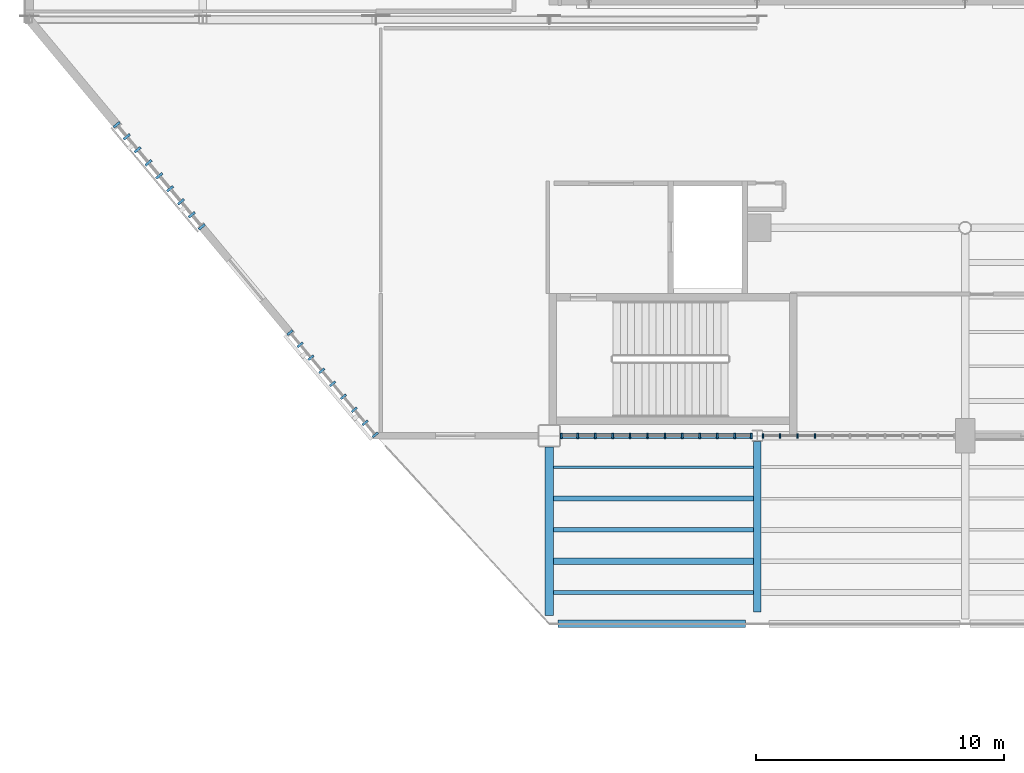
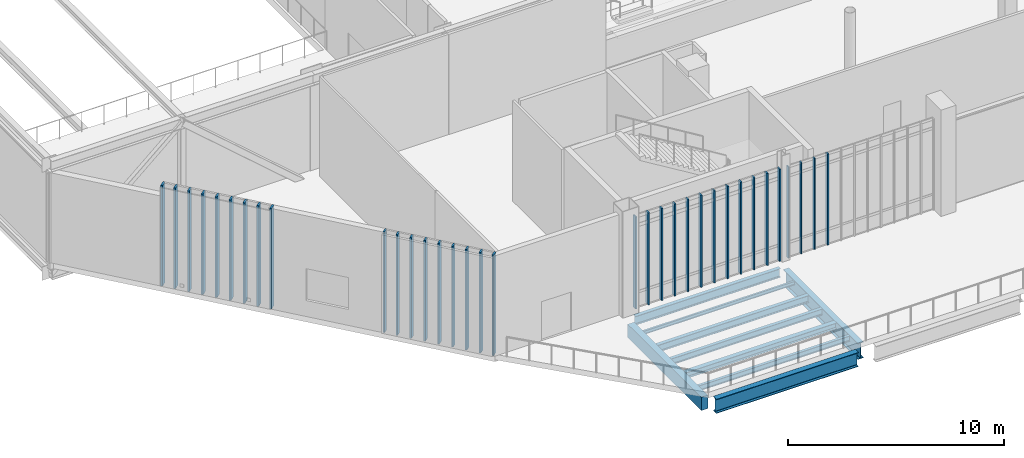
# One storey, part 9 of 135: 34 members, 9 beams, 4 elements without a shape of their own.
"""IFC4 building model written with IfcOpenShell, lengths in metres."""

import ifcopenshell
import ifcopenshell.guid

model = None  # the IFC model being written
_history = None  # IfcOwnerHistory: only IFC2X3 demands one
_inside = {}  # id of a spatial element -> (the spatial element, [elements in it])
_under = {}  # id of a project, library or spatial element -> (it, [spatial elements below it])
_declared = {}  # id of a project -> (the project, [libraries it declares])
_typed = {}  # id of a type object -> (the type object, [elements of that type])
_made_of = {}  # id of a material, layer set ... -> (it, [elements and type objects made of it])


def new_model(schema):
    """Start an empty IFC model of exactly this schema.

    Asked for "IFC4X3", IfcOpenShell would pick the latest addendum, in which some entities
    have other attributes; the version numbers below select the first issue.
    IFC2X3 requires an IfcOwnerHistory on every rooted entity: one is made here for all.
    """
    global model, _history
    if schema == "IFC4X3":
        model = ifcopenshell.file(schema_version=(4, 3, 0, 0))
    else:
        model = ifcopenshell.file(schema=schema)
    _inside.clear()
    _under.clear()
    _declared.clear()
    _typed.clear()
    _made_of.clear()
    _history = None
    if model.schema == "IFC2X3":
        org = make("IfcOrganization", Name="unknown")
        user = make(
            "IfcPersonAndOrganization",
            ThePerson=make("IfcPerson", FamilyName="unknown"),
            TheOrganization=org,
        )
        app = make(
            "IfcApplication",
            ApplicationDeveloper=org,
            Version="unknown",
            ApplicationFullName="unknown",
            ApplicationIdentifier="unknown",
        )
        _history = make(
            "IfcOwnerHistory",
            OwningUser=user,
            OwningApplication=app,
            ChangeAction="ADDED",
            CreationDate=0,
        )
    return model


def make(cls, **values):
    """One entity of the class cls with the attributes given. An attribute that is None is left unset."""
    return model.create_entity(
        cls, **{name: value for name, value in values.items() if value is not None}
    )


def rooted(cls, **values):
    """An entity with a GlobalId (a new one), such as an element, a storey or a relation."""
    return make(cls, GlobalId=ifcopenshell.guid.new(), OwnerHistory=_history, **values)


def si_unit(unit_type, name, prefix=None):
    """IfcSIUnit, for example si_unit("LENGTHUNIT", "METRE", prefix="MILLI")."""
    return make("IfcSIUnit", UnitType=unit_type, Prefix=prefix, Name=name)


def assignment(units):
    """IfcUnitAssignment: the units of a project."""
    return None if units is None else make("IfcUnitAssignment", Units=units)


def point(xyz):
    """IfcCartesianPoint."""
    return None if xyz is None else make("IfcCartesianPoint", Coordinates=xyz)


def direction(xyz):
    """IfcDirection."""
    return None if xyz is None else make("IfcDirection", DirectionRatios=xyz)


def frame(location, z_axis=None, x_axis=None):
    """IfcAxis2Placement3D, a coordinate frame: its origin and axes. An axis left out is left unset."""
    return make(
        "IfcAxis2Placement3D",
        Location=point(location),
        Axis=direction(z_axis),
        RefDirection=direction(x_axis),
    )


def frame_2d(location, x_axis=None):
    """IfcAxis2Placement2D, a coordinate frame in the plane: its origin and x axis."""
    return make(
        "IfcAxis2Placement2D", Location=point(location), RefDirection=direction(x_axis)
    )


def origin():
    """The frame at (0, 0, 0) with its axes left unset."""
    return frame((0.0, 0.0, 0.0))


def origin_2d():
    """The frame at (0, 0) in the plane with its x axis left unset."""
    return frame_2d((0.0, 0.0))


def place(relative_to, where):
    """IfcLocalPlacement: puts the frame where relative to a parent placement (None: the world)."""
    return make(
        "IfcLocalPlacement", PlacementRelTo=relative_to, RelativePlacement=where
    )


def context(
    kind, dimensions, precision=None, world=None, true_north=None, identifier=None
):
    """IfcGeometricRepresentationContext, for example the 3D "Model" context."""
    return make(
        "IfcGeometricRepresentationContext",
        ContextIdentifier=identifier,
        ContextType=kind,
        CoordinateSpaceDimension=dimensions,
        Precision=precision,
        WorldCoordinateSystem=world,
        TrueNorth=true_north,
    )


def subcontext(parent, identifier, kind, view, scale=None):
    """IfcGeometricRepresentationSubContext, for example "Body" below "Model"."""
    return make(
        "IfcGeometricRepresentationSubContext",
        ContextIdentifier=identifier,
        ContextType=kind,
        ParentContext=parent,
        TargetScale=scale,
        TargetView=view,
    )


def project(units=None, contexts=None):
    """IfcProject with its units and contexts."""
    return rooted(
        "IfcProject",
        Name="project",
        RepresentationContexts=contexts,
        UnitsInContext=assignment(units),
    )


def spatial(cls, under=None, at=None, **own):
    """A site, building, storey or space (cls), placed at a placement, below another one or the project."""
    s = rooted(cls, ObjectPlacement=at, **own)
    if under is not None:
        _under.setdefault(under.id(), (under, []))[1].append(s)
    return s


def profile(cls, at=None, kind="AREA", **sizes):
    """A parametric profile (cls). Its sizes go by their IFC names, for example OverallWidth=200.0."""
    return make(cls, ProfileType=kind, Position=at, **sizes)


def rectangle(**sizes):
    """IfcRectangleProfileDef."""
    return profile("IfcRectangleProfileDef", **sizes)


def i_section(**sizes):
    """IfcIShapeProfileDef."""
    return profile("IfcIShapeProfileDef", **sizes)


def extrude(swept, where, along, depth):
    """IfcExtrudedAreaSolid: the profile swept, set in the frame where, extruded along a direction by depth."""
    return make(
        "IfcExtrudedAreaSolid",
        SweptArea=swept,
        Position=where,
        ExtrudedDirection=direction(along),
        Depth=depth,
    )


def shape(context_of_items, identifier, shape_type, items):
    """IfcShapeRepresentation: the items that make up one representation, for example the "Body"."""
    return make(
        "IfcShapeRepresentation",
        ContextOfItems=context_of_items,
        RepresentationIdentifier=identifier,
        RepresentationType=shape_type,
        Items=items,
    )


def material(Name=None, Category=None):
    """IfcMaterial."""
    return make("IfcMaterial", Name=Name, Category=Category)


def material_profile(
    of_material, cross_section, Name=None, Category=None, Priority=None
):
    """IfcMaterialProfile: a cross section and its material."""
    return make(
        "IfcMaterialProfile",
        Name=Name,
        Material=of_material,
        Profile=cross_section,
        Priority=Priority,
        Category=Category,
    )


def profile_set(profiles, Name=None, composite=None):
    """IfcMaterialProfileSet."""
    return make(
        "IfcMaterialProfileSet",
        Name=Name,
        MaterialProfiles=profiles,
        CompositeProfile=composite,
    )


def made_of(thing, what):
    """Note that an element or type object is made of a material, layer set ...; save() writes the relation."""
    if what is not None:
        _made_of.setdefault(what.id(), (what, []))[1].append(thing)
    return thing


def type_object(cls, material=None, **own):
    """A type object (cls), such as IfcWallType, which elements share."""
    return made_of(rooted(cls, **own), material)


def element(
    cls,
    number,
    at=None,
    inside=None,
    cuts=None,
    type_object=None,
    material=None,
    context=None,
    identifier="Body",
    shape_type=None,
    held_by="IfcProductDefinitionShape",
    body=None,
    shapes=None,
    **own,
):
    """One element of the class cls, such as IfcWall. Its Tag is "e" and its number.

    at: its placement. inside: the storey or other place that contains it. cuts: it is an
    opening in that element (IfcRelVoidsElement). A single representation is given by context,
    identifier, shape_type and body (its items); several are given by shapes. held_by: the class
    of the entity that holds the representations. save() writes the other relations.
    """
    e = rooted(cls, Tag="e%d" % number, ObjectPlacement=at, **own)
    if body is not None:
        shapes = [shape(context, identifier, shape_type, body)]
    if shapes is not None:
        e.Representation = make(held_by, Representations=shapes)
    if inside is not None:
        _inside.setdefault(inside.id(), (inside, []))[1].append(e)
    if cuts is not None:
        rooted(
            "IfcRelVoidsElement", RelatingBuildingElement=cuts, RelatedOpeningElement=e
        )
    if type_object is not None:
        _typed.setdefault(type_object.id(), (type_object, []))[1].append(e)
    return made_of(e, material)


def aggregate(whole, parts):
    """IfcRelAggregates: a whole, such as a stair, and the parts it consists of."""
    return rooted("IfcRelAggregates", RelatingObject=whole, RelatedObjects=parts)


def save(model, path):
    """Write the relations noted so far, then the file.

    IfcRelAggregates (storeys below a building ...), IfcRelContainedInSpatialStructure (elements
    in a storey), IfcRelDefinesByType, IfcRelAssociatesMaterial and IfcRelDeclares: one each for
    every whole, place, type object, material and project.
    """
    for whole, parts in _under.values():
        aggregate(whole, parts)
    for where, things in _inside.values():
        rooted(
            "IfcRelContainedInSpatialStructure",
            RelatedElements=things,
            RelatingStructure=where,
        )
    for kind, things in _typed.values():
        rooted("IfcRelDefinesByType", RelatedObjects=things, RelatingType=kind)
    for what, things in _made_of.values():
        rooted("IfcRelAssociatesMaterial", RelatedObjects=things, RelatingMaterial=what)
    for by, libraries in _declared.values():
        rooted("IfcRelDeclares", RelatingContext=by, RelatedDefinitions=libraries)
    model.write(path)


model = new_model("IFC4")

# Units and contexts
model_context = context("Model", 3, precision=1e-05, world=origin(), true_north=direction((0.0, 1.0)))
body_context = subcontext(model_context, "Body", "Model", "MODEL_VIEW")
ifc_project = project(units=[si_unit("LENGTHUNIT", "METRE"), si_unit("AREAUNIT", "SQUARE_METRE"), si_unit("VOLUMEUNIT", "CUBIC_METRE"), si_unit("PLANEANGLEUNIT", "RADIAN"), si_unit("MASSUNIT", "GRAM", prefix="KILO")], contexts=[model_context])

# Site, building, storey
site_placement = place(None, origin())
site = spatial("IfcSite", under=ifc_project, at=site_placement, CompositionType="ELEMENT")
building_placement = place(site_placement, origin())
building = spatial("IfcBuilding", under=site, at=building_placement, Name="Larkvane Passage Sports Hall", CompositionType="ELEMENT")
storey_placement = place(building_placement, frame((0.0, 0.0, 10.800048828125)))
storey = spatial("IfcBuildingStorey", under=building, at=storey_placement, Name="L02", CompositionType="ELEMENT", Elevation=10.800048828125)

# Beams
ifc_material_1 = material(Name="Steel S460N", Category="steel")
ifc_material_profile_1 = material_profile(ifc_material_1, i_section(OverallWidth=0.300048828125, OverallDepth=0.800048828125, WebThickness=0.013916015625, FlangeThickness=0.02587890625, FilletRadius=0.02197265625, at=origin_2d()), Name="H-800x300x14x26")
ifc_profile_set_1 = profile_set([ifc_material_profile_1], Name="Steel S460N")
beam_type_1 = type_object("IfcBeamType", Name="BM-STL-H800", PredefinedType="BEAM", material=ifc_profile_set_1)
beam_1_placement = place(storey_placement, frame((35.14990234375, 15.199951171875, -0.820068359375), z_axis=(1.0, 0.0, 0.0), x_axis=(0.0, 1.0, 0.0)))
element("IfcBeam", 1, at=beam_1_placement, inside=storey, type_object=beam_type_1, Name="Girder BM5-X-L02-C-0674", PredefinedType="BEAM", context=body_context, shape_type="SweptSolid", body=[
    extrude(i_section(OverallWidth=0.300048828125, OverallDepth=0.800048828125, WebThickness=0.013916015625, FlangeThickness=0.02587890625, FilletRadius=0.02197265625, at=origin_2d()), origin(), (0.0, 0.0, 1.0), 7.5751953125),
])
ifc_material_profile_2 = material_profile(ifc_material_1, i_section(OverallWidth=0.300048828125, OverallDepth=0.89990234375, WebThickness=0.01611328125, FlangeThickness=0.028076171875, FilletRadius=0.02197265625, at=origin_2d()), Name="H-900x300x16x28")
ifc_profile_set_2 = profile_set([ifc_material_profile_2], Name="Steel S460N")
beam_type_2 = type_object("IfcBeamType", Name="BM-STL-H900", PredefinedType="BEAM", material=ifc_profile_set_2)
beam_2_placement = place(storey_placement, frame((43.199951171875, 15.675048828125, -0.8701171875), z_axis=(0.0, 1.0, 0.0), x_axis=(-1.0, 0.0, 0.0)))
element("IfcBeam", 2, at=beam_2_placement, inside=storey, type_object=beam_type_2, Name="Girder BM5-Y-L02-7-0741", PredefinedType="BEAM", context=body_context, shape_type="SweptSolid", body=[
    extrude(i_section(OverallWidth=0.300048828125, OverallDepth=0.89990234375, WebThickness=0.01611328125, FlangeThickness=0.028076171875, FilletRadius=0.02197265625, at=origin_2d()), origin(), (0.0, 0.0, 1.0), 6.89599609375),
])

# Curtain wall, members
ifc_material_2 = material(Name="Thermally broken aluminium and low-E glazing", Category="aluminium")
curtain_wall_type_1 = type_object("IfcCurtainWallType", Name="CW-CLINIC", PredefinedType="USERDEFINED", material=ifc_material_2)
curtain_wall_1_placement = place(storey_placement, origin())
curtain_wall_1 = element("IfcCurtainWall", 3, at=curtain_wall_1_placement, inside=storey, type_object=curtain_wall_type_1, Name="Curtain wall CW5-L02-091", ObjectType="UNITISED CURTAIN WALL", PredefinedType="USERDEFINED")
ifc_material_3 = material(Name="Anodised aluminium 6063-T6", Category="aluminium")
ifc_material_profile_3 = material_profile(ifc_material_3, rectangle(XDim=0.10009765625, YDim=0.320068359375, at=origin_2d()), Name="ALU-MUL-100x320")
ifc_profile_set_3 = profile_set([ifc_material_profile_3], Name="Anodised aluminium 6063-T6")
member_type_1 = type_object("IfcMemberType", Name="CW-MUL-100x320", PredefinedType="MULLION", material=ifc_profile_set_3)
member_1_placement = place(storey_placement, frame((20.76806640625, 31.238525390625, 0.0), z_axis=(0.0, 0.0, 1.0), x_axis=(-0.640184399661, 0.7682212796, 0.0)))
member_1 = element("IfcMember", 4, at=member_1_placement, type_object=member_type_1, Name="CW-05 mullion 1", PredefinedType="MULLION", context=body_context, shape_type="SweptSolid", body=[
    extrude(rectangle(XDim=0.10009765625, YDim=0.320068359375, at=origin_2d()), origin(), (0.0, 0.0, 1.0), 5.679931640625),
])
member_2_placement = place(storey_placement, frame((20.362548828125, 31.72509765625, 0.0), z_axis=(0.0, 0.0, 1.0), x_axis=(-0.640184399661, 0.7682212796, 0.0)))
member_2 = element("IfcMember", 5, at=member_2_placement, type_object=member_type_1, Name="CW-05 mullion 2", PredefinedType="MULLION", context=body_context, shape_type="SweptSolid", body=[
    extrude(rectangle(XDim=0.10009765625, YDim=0.320068359375, at=origin_2d()), origin(), (0.0, 0.0, 1.0), 5.679931640625),
])
member_3_placement = place(storey_placement, frame((19.925048828125, 32.25, 0.0), z_axis=(0.0, 0.0, 1.0), x_axis=(-0.640184399661, 0.7682212796, 0.0)))
member_3 = element("IfcMember", 6, at=member_3_placement, type_object=member_type_1, Name="CW-05 mullion 3", PredefinedType="MULLION", context=body_context, shape_type="SweptSolid", body=[
    extrude(rectangle(XDim=0.10009765625, YDim=0.320068359375, at=origin_2d()), origin(), (0.0, 0.0, 1.0), 5.679931640625),
])
member_4_placement = place(storey_placement, frame((19.487548828125, 32.77490234375, 0.0), z_axis=(0.0, 0.0, 1.0), x_axis=(-0.640184399661, 0.7682212796, 0.0)))
member_4 = element("IfcMember", 7, at=member_4_placement, type_object=member_type_1, Name="CW-05 mullion 4", PredefinedType="MULLION", context=body_context, shape_type="SweptSolid", body=[
    extrude(rectangle(XDim=0.10009765625, YDim=0.320068359375, at=origin_2d()), origin(), (0.0, 0.0, 1.0), 5.679931640625),
])
member_5_placement = place(storey_placement, frame((19.050048828125, 33.300048828125, 0.0), z_axis=(0.0, 0.0, 1.0), x_axis=(-0.640184399661, 0.7682212796, 0.0)))
member_5 = element("IfcMember", 8, at=member_5_placement, type_object=member_type_1, Name="CW-05 mullion 5", PredefinedType="MULLION", context=body_context, shape_type="SweptSolid", body=[
    extrude(rectangle(XDim=0.10009765625, YDim=0.320068359375, at=origin_2d()), origin(), (0.0, 0.0, 1.0), 5.679931640625),
])
member_6_placement = place(storey_placement, frame((18.612548828125, 33.824951171875, 0.0), z_axis=(0.0, 0.0, 1.0), x_axis=(-0.640184399661, 0.7682212796, 0.0)))
member_6 = element("IfcMember", 9, at=member_6_placement, type_object=member_type_1, Name="CW-05 mullion 6", PredefinedType="MULLION", context=body_context, shape_type="SweptSolid", body=[
    extrude(rectangle(XDim=0.10009765625, YDim=0.320068359375, at=origin_2d()), origin(), (0.0, 0.0, 1.0), 5.679931640625),
])
member_7_placement = place(storey_placement, frame((18.175048828125, 34.35009765625, 0.0), z_axis=(0.0, 0.0, 1.0), x_axis=(-0.640184399661, 0.7682212796, 0.0)))
member_7 = element("IfcMember", 10, at=member_7_placement, type_object=member_type_1, Name="CW-05 mullion 7", PredefinedType="MULLION", context=body_context, shape_type="SweptSolid", body=[
    extrude(rectangle(XDim=0.10009765625, YDim=0.320068359375, at=origin_2d()), origin(), (0.0, 0.0, 1.0), 5.679931640625),
])
member_8_placement = place(storey_placement, frame((17.737548828125, 34.875, 0.0), z_axis=(0.0, 0.0, 1.0), x_axis=(-0.640184399661, 0.7682212796, 0.0)))
member_8 = element("IfcMember", 11, at=member_8_placement, type_object=member_type_1, Name="CW-05 mullion 8", PredefinedType="MULLION", context=body_context, shape_type="SweptSolid", body=[
    extrude(rectangle(XDim=0.10009765625, YDim=0.320068359375, at=origin_2d()), origin(), (0.0, 0.0, 1.0), 5.679931640625),
])
member_9_placement = place(storey_placement, frame((17.33203125, 35.361572265625, 0.0), z_axis=(0.0, 0.0, 1.0), x_axis=(-0.640184399661, 0.7682212796, 0.0)))
member_9 = element("IfcMember", 12, at=member_9_placement, type_object=member_type_1, Name="CW-05 mullion 9", PredefinedType="MULLION", context=body_context, shape_type="SweptSolid", body=[
    extrude(rectangle(XDim=0.10009765625, YDim=0.320068359375, at=origin_2d()), origin(), (0.0, 0.0, 1.0), 5.679931640625),
])
aggregate(curtain_wall_1, [member_1, member_2, member_3, member_4, member_5, member_6, member_7, member_8, member_9])

curtain_wall_type_2 = type_object("IfcCurtainWallType", Name="CW-UNIT-COURT", PredefinedType="USERDEFINED", material=ifc_material_2)
curtain_wall_2_placement = place(storey_placement, origin())
curtain_wall_2 = element("IfcCurtainWall", 13, at=curtain_wall_2_placement, inside=storey, type_object=curtain_wall_type_2, Name="Curtain wall CW5-L02-088", ObjectType="UNITISED CURTAIN WALL", PredefinedType="USERDEFINED")
ifc_material_profile_4 = material_profile(ifc_material_3, rectangle(XDim=0.06494140625, YDim=0.179931640625, at=origin_2d()), Name="ALU-MUL-65x180")
ifc_profile_set_4 = profile_set([ifc_material_profile_4], Name="Anodised aluminium 6063-T6")
member_type_2 = type_object("IfcMemberType", Name="CW-MUL-65x180", PredefinedType="MULLION", material=ifc_profile_set_4)
member_10_placement = place(storey_placement, frame((45.53173828125, 22.800048828125, 0.0), z_axis=(0.0, 0.0, 1.0), x_axis=(-1.0, 0.0, 0.0)))
member_10 = element("IfcMember", 14, at=member_10_placement, type_object=member_type_2, Name="CW-01 mullion 9", PredefinedType="MULLION", context=body_context, shape_type="SweptSolid", body=[
    extrude(rectangle(XDim=0.06494140625, YDim=0.179931640625, at=origin_2d()), origin(), (0.0, 0.0, 1.0), 5.14794921875),
])
member_11_placement = place(storey_placement, frame((44.822509765625, 22.800048828125, 0.0), z_axis=(0.0, 0.0, 1.0), x_axis=(-1.0, 0.0, 0.0)))
member_11 = element("IfcMember", 15, at=member_11_placement, type_object=member_type_2, Name="CW-01 mullion 10", PredefinedType="MULLION", context=body_context, shape_type="SweptSolid", body=[
    extrude(rectangle(XDim=0.06494140625, YDim=0.179931640625, at=origin_2d()), origin(), (0.0, 0.0, 1.0), 5.14794921875),
])
member_12_placement = place(storey_placement, frame((44.113525390625, 22.800048828125, 0.0), z_axis=(0.0, 0.0, 1.0), x_axis=(-1.0, 0.0, 0.0)))
member_12 = element("IfcMember", 16, at=member_12_placement, type_object=member_type_2, Name="CW-01 mullion 11", PredefinedType="MULLION", context=body_context, shape_type="SweptSolid", body=[
    extrude(rectangle(XDim=0.06494140625, YDim=0.179931640625, at=origin_2d()), origin(), (0.0, 0.0, 1.0), 5.14794921875),
])
member_13_placement = place(storey_placement, frame((43.43701171875, 22.800048828125, 0.0), z_axis=(0.0, 0.0, 1.0), x_axis=(-1.0, 0.0, 0.0)))
member_13 = element("IfcMember", 17, at=member_13_placement, type_object=member_type_2, Name="CW-01 mullion 12", PredefinedType="MULLION", context=body_context, shape_type="SweptSolid", body=[
    extrude(rectangle(XDim=0.06494140625, YDim=0.179931640625, at=origin_2d()), origin(), (0.0, 0.0, 1.0), 5.14794921875),
])
aggregate(curtain_wall_2, [member_10, member_11, member_12, member_13])

curtain_wall_type_3 = type_object("IfcCurtainWallType", Name="CW-UNIT-VEIL", PredefinedType="USERDEFINED", material=ifc_material_2)
curtain_wall_3_placement = place(storey_placement, origin())
curtain_wall_3 = element("IfcCurtainWall", 18, at=curtain_wall_3_placement, inside=storey, type_object=curtain_wall_type_3, Name="Curtain wall CW5-L02-089", ObjectType="UNITISED CURTAIN WALL", PredefinedType="USERDEFINED")
ifc_material_profile_5 = material_profile(ifc_material_3, rectangle(XDim=0.074951171875, YDim=0.22509765625, at=origin_2d()), Name="ALU-MUL-75x225")
ifc_profile_set_5 = profile_set([ifc_material_profile_5], Name="Anodised aluminium 6063-T6")
member_type_3 = type_object("IfcMemberType", Name="CW-MUL-75x225", PredefinedType="MULLION", material=ifc_profile_set_5)
member_14_placement = place(storey_placement, frame((42.9580078125, 22.800048828125, 0.0), z_axis=(0.0, 0.0, 1.0), x_axis=(-1.0, 0.0, 0.0)))
member_14 = element("IfcMember", 19, at=member_14_placement, type_object=member_type_3, Name="CW-02 mullion 1", PredefinedType="MULLION", context=body_context, shape_type="SweptSolid", body=[
    extrude(rectangle(XDim=0.074951171875, YDim=0.22509765625, at=origin_2d()), origin(), (0.0, 0.0, 1.0), 5.197998046875),
])
member_15_placement = place(storey_placement, frame((42.291015625, 22.800048828125, 0.0), z_axis=(0.0, 0.0, 1.0), x_axis=(-1.0, 0.0, 0.0)))
member_15 = element("IfcMember", 20, at=member_15_placement, type_object=member_type_3, Name="CW-02 mullion 2", PredefinedType="MULLION", context=body_context, shape_type="SweptSolid", body=[
    extrude(rectangle(XDim=0.074951171875, YDim=0.22509765625, at=origin_2d()), origin(), (0.0, 0.0, 1.0), 5.197998046875),
])
member_16_placement = place(storey_placement, frame((41.58642578125, 22.800048828125, 0.0), z_axis=(0.0, 0.0, 1.0), x_axis=(-1.0, 0.0, 0.0)))
member_16 = element("IfcMember", 21, at=member_16_placement, type_object=member_type_3, Name="CW-02 mullion 3", PredefinedType="MULLION", context=body_context, shape_type="SweptSolid", body=[
    extrude(rectangle(XDim=0.074951171875, YDim=0.22509765625, at=origin_2d()), origin(), (0.0, 0.0, 1.0), 5.197998046875),
])
member_17_placement = place(storey_placement, frame((40.882080078125, 22.800048828125, 0.0), z_axis=(0.0, 0.0, 1.0), x_axis=(-1.0, 0.0, 0.0)))
member_17 = element("IfcMember", 22, at=member_17_placement, type_object=member_type_3, Name="CW-02 mullion 4", PredefinedType="MULLION", context=body_context, shape_type="SweptSolid", body=[
    extrude(rectangle(XDim=0.074951171875, YDim=0.22509765625, at=origin_2d()), origin(), (0.0, 0.0, 1.0), 5.197998046875),
])
member_18_placement = place(storey_placement, frame((40.177490234375, 22.800048828125, 0.0), z_axis=(0.0, 0.0, 1.0), x_axis=(-1.0, 0.0, 0.0)))
member_18 = element("IfcMember", 23, at=member_18_placement, type_object=member_type_3, Name="CW-02 mullion 5", PredefinedType="MULLION", context=body_context, shape_type="SweptSolid", body=[
    extrude(rectangle(XDim=0.074951171875, YDim=0.22509765625, at=origin_2d()), origin(), (0.0, 0.0, 1.0), 5.197998046875),
])
member_19_placement = place(storey_placement, frame((39.472900390625, 22.800048828125, 0.0), z_axis=(0.0, 0.0, 1.0), x_axis=(-1.0, 0.0, 0.0)))
member_19 = element("IfcMember", 24, at=member_19_placement, type_object=member_type_3, Name="CW-02 mullion 6", PredefinedType="MULLION", context=body_context, shape_type="SweptSolid", body=[
    extrude(rectangle(XDim=0.074951171875, YDim=0.22509765625, at=origin_2d()), origin(), (0.0, 0.0, 1.0), 5.197998046875),
])
member_20_placement = place(storey_placement, frame((38.7685546875, 22.800048828125, 0.0), z_axis=(0.0, 0.0, 1.0), x_axis=(-1.0, 0.0, 0.0)))
member_20 = element("IfcMember", 25, at=member_20_placement, type_object=member_type_3, Name="CW-02 mullion 7", PredefinedType="MULLION", context=body_context, shape_type="SweptSolid", body=[
    extrude(rectangle(XDim=0.074951171875, YDim=0.22509765625, at=origin_2d()), origin(), (0.0, 0.0, 1.0), 5.197998046875),
])
member_21_placement = place(storey_placement, frame((38.06396484375, 22.800048828125, 0.0), z_axis=(0.0, 0.0, 1.0), x_axis=(-1.0, 0.0, 0.0)))
member_21 = element("IfcMember", 26, at=member_21_placement, type_object=member_type_3, Name="CW-02 mullion 8", PredefinedType="MULLION", context=body_context, shape_type="SweptSolid", body=[
    extrude(rectangle(XDim=0.074951171875, YDim=0.22509765625, at=origin_2d()), origin(), (0.0, 0.0, 1.0), 5.197998046875),
])
member_22_placement = place(storey_placement, frame((37.359619140625, 22.800048828125, 0.0), z_axis=(0.0, 0.0, 1.0), x_axis=(-1.0, 0.0, 0.0)))
member_22 = element("IfcMember", 27, at=member_22_placement, type_object=member_type_3, Name="CW-02 mullion 9", PredefinedType="MULLION", context=body_context, shape_type="SweptSolid", body=[
    extrude(rectangle(XDim=0.074951171875, YDim=0.22509765625, at=origin_2d()), origin(), (0.0, 0.0, 1.0), 5.197998046875),
])
member_23_placement = place(storey_placement, frame((36.655029296875, 22.800048828125, 0.0), z_axis=(0.0, 0.0, 1.0), x_axis=(-1.0, 0.0, 0.0)))
member_23 = element("IfcMember", 28, at=member_23_placement, type_object=member_type_3, Name="CW-02 mullion 10", PredefinedType="MULLION", context=body_context, shape_type="SweptSolid", body=[
    extrude(rectangle(XDim=0.074951171875, YDim=0.22509765625, at=origin_2d()), origin(), (0.0, 0.0, 1.0), 5.197998046875),
])
member_24_placement = place(storey_placement, frame((35.950439453125, 22.800048828125, 0.0), z_axis=(0.0, 0.0, 1.0), x_axis=(-1.0, 0.0, 0.0)))
member_24 = element("IfcMember", 29, at=member_24_placement, type_object=member_type_3, Name="CW-02 mullion 11", PredefinedType="MULLION", context=body_context, shape_type="SweptSolid", body=[
    extrude(rectangle(XDim=0.074951171875, YDim=0.22509765625, at=origin_2d()), origin(), (0.0, 0.0, 1.0), 5.197998046875),
])
member_25_placement = place(storey_placement, frame((35.283447265625, 22.800048828125, 0.0), z_axis=(0.0, 0.0, 1.0), x_axis=(-1.0, 0.0, 0.0)))
member_25 = element("IfcMember", 30, at=member_25_placement, type_object=member_type_3, Name="CW-02 mullion 12", PredefinedType="MULLION", context=body_context, shape_type="SweptSolid", body=[
    extrude(rectangle(XDim=0.074951171875, YDim=0.22509765625, at=origin_2d()), origin(), (0.0, 0.0, 1.0), 5.197998046875),
])
aggregate(curtain_wall_3, [member_14, member_15, member_16, member_17, member_18, member_19, member_20, member_21, member_22, member_23, member_24, member_25])

curtain_wall_type_4 = type_object("IfcCurtainWallType", Name="CW-STICK-FOYER", PredefinedType="USERDEFINED", material=ifc_material_2)
curtain_wall_4_placement = place(storey_placement, origin())
curtain_wall_4 = element("IfcCurtainWall", 31, at=curtain_wall_4_placement, inside=storey, type_object=curtain_wall_type_4, Name="Curtain wall CW5-L02-090", ObjectType="STICK CURTAIN WALL", PredefinedType="USERDEFINED")
ifc_material_profile_6 = material_profile(ifc_material_3, rectangle(XDim=0.090087890625, YDim=0.280029296875, at=origin_2d()), Name="ALU-MUL-90x280")
ifc_profile_set_6 = profile_set([ifc_material_profile_6], Name="Anodised aluminium 6063-T6")
member_type_4 = type_object("IfcMemberType", Name="CW-MUL-90x280", PredefinedType="MULLION", material=ifc_profile_set_6)
member_26_placement = place(storey_placement, frame((27.771240234375, 22.83447265625, 0.0), z_axis=(0.0, 0.0, 1.0), x_axis=(-0.640184399661, 0.7682212796, 0.0)))
member_26 = element("IfcMember", 32, at=member_26_placement, type_object=member_type_4, Name="CW-03 mullion 1", PredefinedType="MULLION", context=body_context, shape_type="SweptSolid", body=[
    extrude(rectangle(XDim=0.090087890625, YDim=0.280029296875, at=origin_2d()), origin(), (0.0, 0.0, 1.0), 5.679931640625),
])
member_27_placement = place(storey_placement, frame((27.362548828125, 23.324951171875, 0.0), z_axis=(0.0, 0.0, 1.0), x_axis=(-0.640184399661, 0.7682212796, 0.0)))
member_27 = element("IfcMember", 33, at=member_27_placement, type_object=member_type_4, Name="CW-03 mullion 2", PredefinedType="MULLION", context=body_context, shape_type="SweptSolid", body=[
    extrude(rectangle(XDim=0.090087890625, YDim=0.280029296875, at=origin_2d()), origin(), (0.0, 0.0, 1.0), 5.679931640625),
])
member_28_placement = place(storey_placement, frame((26.925048828125, 23.85009765625, 0.0), z_axis=(0.0, 0.0, 1.0), x_axis=(-0.640184399661, 0.7682212796, 0.0)))
member_28 = element("IfcMember", 34, at=member_28_placement, type_object=member_type_4, Name="CW-03 mullion 3", PredefinedType="MULLION", context=body_context, shape_type="SweptSolid", body=[
    extrude(rectangle(XDim=0.090087890625, YDim=0.280029296875, at=origin_2d()), origin(), (0.0, 0.0, 1.0), 5.679931640625),
])
member_29_placement = place(storey_placement, frame((26.487548828125, 24.375, 0.0), z_axis=(0.0, 0.0, 1.0), x_axis=(-0.640184399661, 0.7682212796, 0.0)))
member_29 = element("IfcMember", 35, at=member_29_placement, type_object=member_type_4, Name="CW-03 mullion 4", PredefinedType="MULLION", context=body_context, shape_type="SweptSolid", body=[
    extrude(rectangle(XDim=0.090087890625, YDim=0.280029296875, at=origin_2d()), origin(), (0.0, 0.0, 1.0), 5.679931640625),
])
member_30_placement = place(storey_placement, frame((26.050048828125, 24.89990234375, 0.0), z_axis=(0.0, 0.0, 1.0), x_axis=(-0.640184399661, 0.7682212796, 0.0)))
member_30 = element("IfcMember", 36, at=member_30_placement, type_object=member_type_4, Name="CW-03 mullion 5", PredefinedType="MULLION", context=body_context, shape_type="SweptSolid", body=[
    extrude(rectangle(XDim=0.090087890625, YDim=0.280029296875, at=origin_2d()), origin(), (0.0, 0.0, 1.0), 5.679931640625),
])
member_31_placement = place(storey_placement, frame((25.612548828125, 25.425048828125, 0.0), z_axis=(0.0, 0.0, 1.0), x_axis=(-0.640184399661, 0.7682212796, 0.0)))
member_31 = element("IfcMember", 37, at=member_31_placement, type_object=member_type_4, Name="CW-03 mullion 6", PredefinedType="MULLION", context=body_context, shape_type="SweptSolid", body=[
    extrude(rectangle(XDim=0.090087890625, YDim=0.280029296875, at=origin_2d()), origin(), (0.0, 0.0, 1.0), 5.679931640625),
])
member_32_placement = place(storey_placement, frame((25.175048828125, 25.949951171875, 0.0), z_axis=(0.0, 0.0, 1.0), x_axis=(-0.640184399661, 0.7682212796, 0.0)))
member_32 = element("IfcMember", 38, at=member_32_placement, type_object=member_type_4, Name="CW-03 mullion 7", PredefinedType="MULLION", context=body_context, shape_type="SweptSolid", body=[
    extrude(rectangle(XDim=0.090087890625, YDim=0.280029296875, at=origin_2d()), origin(), (0.0, 0.0, 1.0), 5.679931640625),
])
member_33_placement = place(storey_placement, frame((24.737548828125, 26.47509765625, 0.0), z_axis=(0.0, 0.0, 1.0), x_axis=(-0.640184399661, 0.7682212796, 0.0)))
member_33 = element("IfcMember", 39, at=member_33_placement, type_object=member_type_4, Name="CW-03 mullion 8", PredefinedType="MULLION", context=body_context, shape_type="SweptSolid", body=[
    extrude(rectangle(XDim=0.090087890625, YDim=0.280029296875, at=origin_2d()), origin(), (0.0, 0.0, 1.0), 5.679931640625),
])
member_34_placement = place(storey_placement, frame((24.328857421875, 26.96533203125, 0.0), z_axis=(0.0, 0.0, 1.0), x_axis=(-0.640184399661, 0.7682212796, 0.0)))
member_34 = element("IfcMember", 40, at=member_34_placement, type_object=member_type_4, Name="CW-03 mullion 9", PredefinedType="MULLION", context=body_context, shape_type="SweptSolid", body=[
    extrude(rectangle(XDim=0.090087890625, YDim=0.280029296875, at=origin_2d()), origin(), (0.0, 0.0, 1.0), 5.679931640625),
])
aggregate(curtain_wall_4, [member_26, member_27, member_28, member_29, member_30, member_31, member_32, member_33, member_34])

# Beams
ifc_material_4 = material(Name="Steel S355JR", Category="steel")
ifc_material_profile_7 = material_profile(ifc_material_4, i_section(OverallWidth=0.10009765625, OverallDepth=0.199951171875, WebThickness=0.005615234375, FlangeThickness=0.008056640625, FilletRadius=0.008056640625, at=origin_2d()), Name="H-200x100x5.5x8")
ifc_profile_set_7 = profile_set([ifc_material_profile_7], Name="Steel S355JR")
beam_type_3 = type_object("IfcBeamType", Name="JST-STL-H200", PredefinedType="JOIST", material=ifc_profile_set_7)
beam_3_placement = place(storey_placement, frame((34.97509765625, 21.533447265625, -0.52001953125), z_axis=(1.0, 0.0, 0.0), x_axis=(0.0, 1.0, 0.0)))
element("IfcBeam", 41, at=beam_3_placement, inside=storey, type_object=beam_type_3, Name="Composite joist L02 6/C-5", PredefinedType="JOIST", context=body_context, shape_type="SweptSolid", body=[
    extrude(i_section(OverallWidth=0.10009765625, OverallDepth=0.199951171875, WebThickness=0.005615234375, FlangeThickness=0.008056640625, FilletRadius=0.008056640625, at=origin_2d()), origin(), (0.0, 0.0, 1.0), 8.074951171875),
])
ifc_material_profile_8 = material_profile(ifc_material_4, i_section(OverallWidth=0.14990234375, OverallDepth=0.300048828125, WebThickness=0.006591796875, FlangeThickness=0.009033203125, FilletRadius=0.012939453125, at=origin_2d()), Name="H-300x150x6.5x9")
ifc_profile_set_8 = profile_set([ifc_material_profile_8], Name="Steel S355JR")
beam_type_4 = type_object("IfcBeamType", Name="JST-STL-H300", PredefinedType="JOIST", material=ifc_profile_set_8)
beam_4_placement = place(storey_placement, frame((34.97509765625, 16.466552734375, -0.570068359375), z_axis=(1.0, 0.0, 0.0), x_axis=(0.0, 1.0, 0.0)))
element("IfcBeam", 42, at=beam_4_placement, inside=storey, type_object=beam_type_4, Name="Composite joist L02 6/C-1", PredefinedType="JOIST", context=body_context, shape_type="SweptSolid", body=[
    extrude(i_section(OverallWidth=0.14990234375, OverallDepth=0.300048828125, WebThickness=0.006591796875, FlangeThickness=0.009033203125, FilletRadius=0.012939453125, at=origin_2d()), origin(), (0.0, 0.0, 1.0), 8.074951171875),
])
ifc_material_profile_9 = material_profile(ifc_material_4, i_section(OverallWidth=0.25, OverallDepth=0.340087890625, WebThickness=0.009033203125, FlangeThickness=0.013916015625, FilletRadius=0.012939453125, at=origin_2d()), Name="H-340x250x9x14")
ifc_profile_set_9 = profile_set([ifc_material_profile_9], Name="Steel S355JR")
beam_type_5 = type_object("IfcBeamType", Name="JST-STL-H340", PredefinedType="JOIST", material=ifc_profile_set_9)
beam_5_placement = place(storey_placement, frame((34.97509765625, 17.7333984375, -0.590087890625), z_axis=(1.0, 0.0, 0.0), x_axis=(0.0, 1.0, 0.0)))
element("IfcBeam", 43, at=beam_5_placement, inside=storey, type_object=beam_type_5, Name="Composite joist L02 6/C-2", PredefinedType="JOIST", context=body_context, shape_type="SweptSolid", body=[
    extrude(i_section(OverallWidth=0.25, OverallDepth=0.340087890625, WebThickness=0.009033203125, FlangeThickness=0.013916015625, FilletRadius=0.012939453125, at=origin_2d()), origin(), (0.0, 0.0, 1.0), 8.074951171875),
])
ifc_material_profile_10 = material_profile(ifc_material_4, i_section(OverallWidth=0.175048828125, OverallDepth=0.35009765625, WebThickness=0.007080078125, FlangeThickness=0.010986328125, FilletRadius=0.012939453125, at=origin_2d()), Name="H-350x175x7x11")
ifc_profile_set_10 = profile_set([ifc_material_profile_10], Name="Steel S355JR")
beam_type_6 = type_object("IfcBeamType", Name="JST-STL-H350", PredefinedType="JOIST", material=ifc_profile_set_10)
beam_6_placement = place(storey_placement, frame((34.97509765625, 19.0, -0.594970703125), z_axis=(1.0, 0.0, 0.0), x_axis=(0.0, 1.0, 0.0)))
element("IfcBeam", 44, at=beam_6_placement, inside=storey, type_object=beam_type_6, Name="Composite joist L02 6/C-3", PredefinedType="JOIST", context=body_context, shape_type="SweptSolid", body=[
    extrude(i_section(OverallWidth=0.175048828125, OverallDepth=0.35009765625, WebThickness=0.007080078125, FlangeThickness=0.010986328125, FilletRadius=0.012939453125, at=origin_2d()), origin(), (0.0, 0.0, 1.0), 8.074951171875),
])
ifc_material_profile_11 = material_profile(ifc_material_4, i_section(OverallWidth=0.199951171875, OverallDepth=0.39990234375, WebThickness=0.008056640625, FlangeThickness=0.012939453125, FilletRadius=0.012939453125, at=origin_2d()), Name="H-400x200x8x13")
ifc_profile_set_11 = profile_set([ifc_material_profile_11], Name="Steel S355JR")
beam_type_7 = type_object("IfcBeamType", Name="JST-STL-H400", PredefinedType="JOIST", material=ifc_profile_set_11)
beam_7_placement = place(storey_placement, frame((34.97509765625, 20.2666015625, -0.6201171875), z_axis=(1.0, 0.0, 0.0), x_axis=(0.0, 1.0, 0.0)))
element("IfcBeam", 45, at=beam_7_placement, inside=storey, type_object=beam_type_7, Name="Composite joist L02 6/C-4", PredefinedType="JOIST", context=body_context, shape_type="SweptSolid", body=[
    extrude(i_section(OverallWidth=0.199951171875, OverallDepth=0.39990234375, WebThickness=0.008056640625, FlangeThickness=0.012939453125, FilletRadius=0.012939453125, at=origin_2d()), origin(), (0.0, 0.0, 1.0), 8.074951171875),
])
ifc_material_5 = material(Name="Concrete C40/50", Category="concrete")
ifc_material_profile_12 = material_profile(ifc_material_5, rectangle(XDim=0.35009765625, YDim=0.75, at=origin_2d()), Name="RC-SP-350x750")
ifc_profile_set_12 = profile_set([ifc_material_profile_12], Name="Concrete C40/50")
beam_type_8 = type_object("IfcBeamType", Name="SP-RC-350x750", PredefinedType="SPANDREL", material=ifc_profile_set_12)
beam_8_placement = place(storey_placement, frame((34.800048828125, 15.550048828125, -0.795166015625), z_axis=(0.0, 1.0, 0.0), x_axis=(-1.0, 0.0, 0.0)))
element("IfcBeam", 46, at=beam_8_placement, inside=storey, type_object=beam_type_8, Name="Girder BM5-Y-L02-6-0737", PredefinedType="SPANDREL", context=body_context, shape_type="SweptSolid", body=[
    extrude(rectangle(XDim=0.35009765625, YDim=0.75, at=origin_2d()), origin(), (0.0, 0.0, 1.0), 6.800048828125),
])
ifc_material_profile_13 = material_profile(ifc_material_4, i_section(OverallWidth=0.199951171875, OverallDepth=0.5, WebThickness=0.010009765625, FlangeThickness=0.01611328125, FilletRadius=0.01806640625, at=origin_2d()), Name="H-500x200x10x16")
ifc_profile_set_13 = profile_set([ifc_material_profile_13], Name="Steel S355JR")
beam_type_9 = type_object("IfcBeamType", Name="SP-STL-H500", PredefinedType="SPANDREL", material=ifc_profile_set_13)
beam_9_placement = place(storey_placement, frame((35.25, 22.800048828125, -0.670166015625), z_axis=(1.0, 0.0, 0.0), x_axis=(0.0, 1.0, 0.0)))
element("IfcBeam", 47, at=beam_9_placement, inside=storey, type_object=beam_type_9, Name="Girder BM5-X-L02-D-0680", PredefinedType="SPANDREL", context=body_context, shape_type="SweptSolid", body=[
    extrude(i_section(OverallWidth=0.199951171875, OverallDepth=0.5, WebThickness=0.010009765625, FlangeThickness=0.01611328125, FilletRadius=0.01806640625, at=origin_2d()), origin(), (0.0, 0.0, 1.0), 7.741455078125),
])

save(model, "model.ifc")
